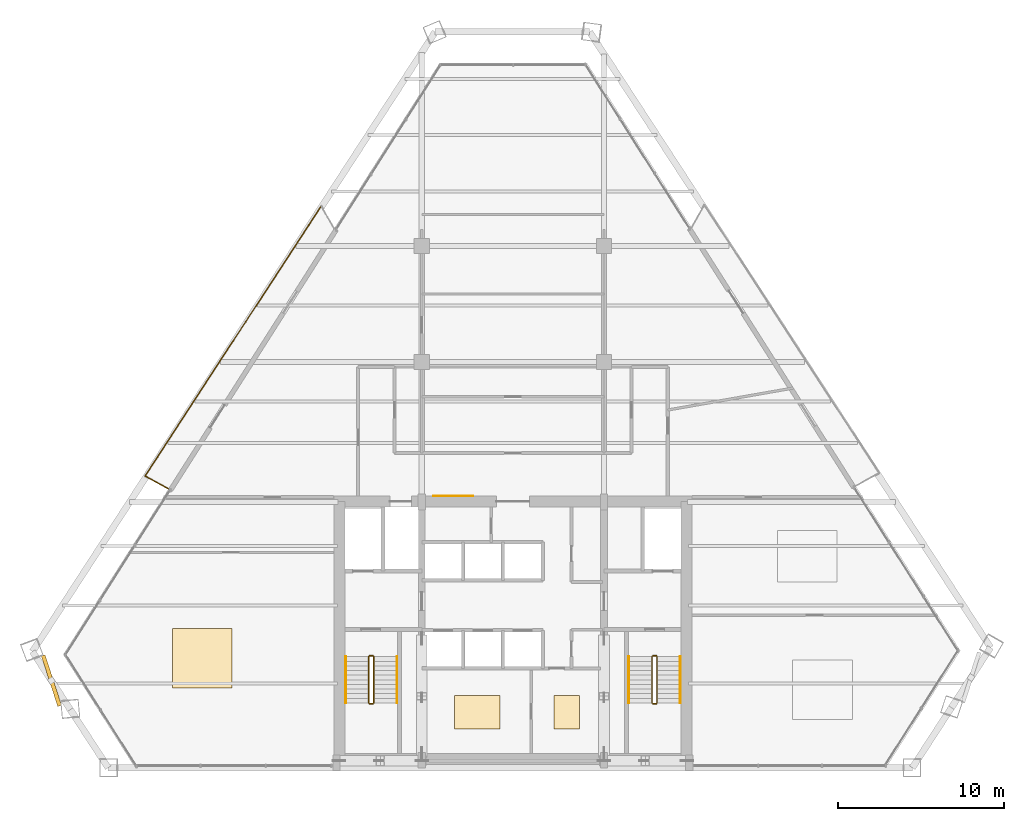
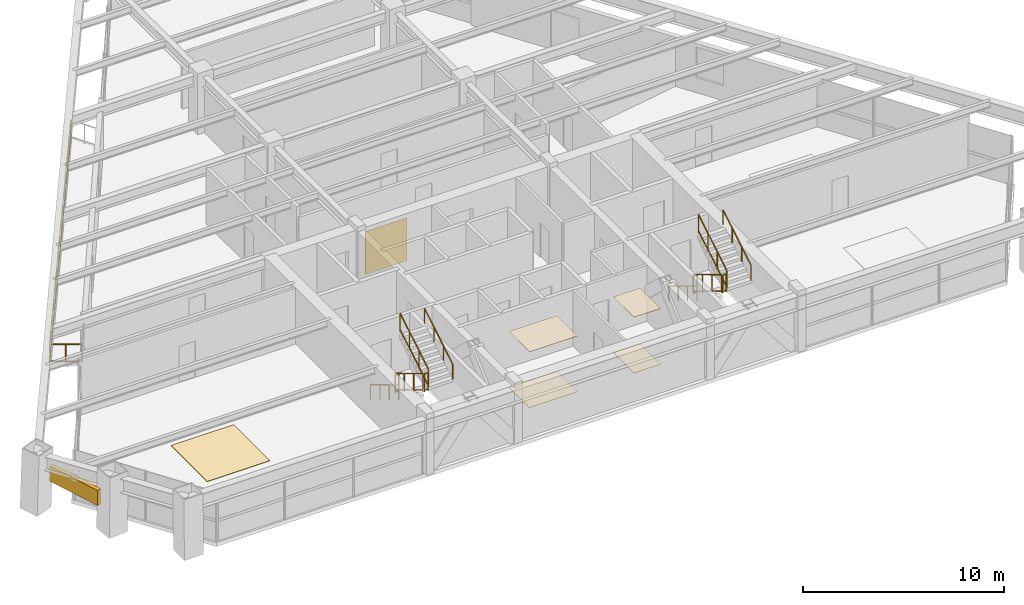
# One storey, part 14 of 15: 14 railings, 6 coverings, 1 shading device.
"""IFC4 building model written with IfcOpenShell, lengths in metres."""

from ifc_helpers import new_model, si_unit, direction, frame, origin, origin_2d, place, context, subcontext, project, spatial, rectangle, extrude, source, transform, mapped, material, layer, layer_set, type_object, type_shapes, element, save


model = new_model("IFC4")

# Units and contexts
model_context = context("Model", 3, precision=1e-05, world=origin(), true_north=direction((0.0, 1.0)))
body_context = subcontext(model_context, "Body", "Model", "MODEL_VIEW")
ifc_project = project(units=[si_unit("LENGTHUNIT", "METRE"), si_unit("AREAUNIT", "SQUARE_METRE"), si_unit("VOLUMEUNIT", "CUBIC_METRE"), si_unit("PLANEANGLEUNIT", "RADIAN"), si_unit("MASSUNIT", "GRAM", prefix="KILO")], contexts=[model_context])

# Site, building, storey
site_placement = place(None, origin())
site = spatial("IfcSite", under=ifc_project, at=site_placement, CompositionType="ELEMENT")
building_placement = place(site_placement, origin())
building = spatial("IfcBuilding", under=site, at=building_placement, Name="Varnakhor Terracotta Tower", CompositionType="ELEMENT")
storey_placement = place(building_placement, frame((0.0, 0.0, 162.60009765625)))
storey = spatial("IfcBuildingStorey", under=building, at=storey_placement, Name="L41", CompositionType="ELEMENT", Elevation=162.60009765625)

# Railings
ifc_material_1 = material(Name="Stainless Steel & Laminated Glass Guardrail", Category="steel")
railing_type_1 = type_object("IfcRailingType", Name="RLG-LOGGIA-GUARD-1150", PredefinedType="GUARDRAIL", material=ifc_material_1)
railing_1_placement = place(storey_placement, frame((-20.7900390625, 16.840087890625, 0.0)))
element("IfcRailing", 1, at=railing_1_placement, inside=storey, type_object=railing_type_1, Name="L41 W Loggia Glass Guard 1", PredefinedType="GUARDRAIL", context=body_context, shape_type="SweptSolid", body=[
    extrude(rectangle(XDim=0.048095703125, YDim=0.048095703125, at=origin_2d()), frame((0.0, 0.0, 1.1259765625), z_axis=(-0.876337144847, 0.481698254679, 0.0), x_axis=(-0.481698254679, -0.876337144847, 0.0)), (0.0, 0.0, 1.0), 1.615234375),
    extrude(rectangle(XDim=0.048095703125, YDim=0.048095703125, at=origin_2d()), frame((0.0, 0.0, 0.10009765625), z_axis=(-0.876337144847, 0.481698254679, 0.0), x_axis=(-0.481698254679, -0.876337144847, 0.0)), (0.0, 0.0, 1.0), 1.615234375),
    extrude(rectangle(XDim=0.0419921875, YDim=0.0419921875, at=origin_2d()), origin(), (0.0, 0.0, 1.0), 1.101806640625),
    extrude(rectangle(XDim=0.0419921875, YDim=0.0419921875, at=origin_2d()), frame((-0.707763671875, 0.38916015625, 0.0)), (0.0, 0.0, 1.0), 1.101806640625),
    extrude(rectangle(XDim=0.0419921875, YDim=0.0419921875, at=origin_2d()), frame((-1.41552734375, 0.778076171875, 0.0)), (0.0, 0.0, 1.0), 1.101806640625),
])
railing_2_placement = place(storey_placement, frame((-22.20556640625, 17.6181640625, 0.0)))
element("IfcRailing", 2, at=railing_2_placement, inside=storey, type_object=railing_type_1, Name="L41 W Loggia Glass Guard 2", PredefinedType="GUARDRAIL", context=body_context, shape_type="SweptSolid", body=[
    extrude(rectangle(XDim=0.048095703125, YDim=0.048095703125, at=origin_2d()), frame((0.0, 0.0, 1.1259765625), z_axis=(0.546350424216, 0.837556692982, 0.0), x_axis=(-0.837556692982, 0.546350424216, 0.0)), (0.0, 0.0, 1.0), 19.4638671875),
    extrude(rectangle(XDim=0.048095703125, YDim=0.048095703125, at=origin_2d()), frame((0.0, 0.0, 0.10009765625), z_axis=(0.546350424216, 0.837556692982, 0.0), x_axis=(-0.837556692982, 0.546350424216, 0.0)), (0.0, 0.0, 1.0), 19.4638671875),
    extrude(rectangle(XDim=0.0419921875, YDim=0.0419921875, at=origin_2d()), origin(), (0.0, 0.0, 1.0), 1.101806640625),
    extrude(rectangle(XDim=0.0419921875, YDim=0.0419921875, at=origin_2d()), frame((0.759521484375, 1.16455078125, 0.0)), (0.0, 0.0, 1.0), 1.101806640625),
    extrude(rectangle(XDim=0.0419921875, YDim=0.0419921875, at=origin_2d()), frame((1.51904296875, 2.328857421875, 0.0)), (0.0, 0.0, 1.0), 1.101806640625),
    extrude(rectangle(XDim=0.0419921875, YDim=0.0419921875, at=origin_2d()), frame((2.27880859375, 3.4931640625, 0.0)), (0.0, 0.0, 1.0), 1.101806640625),
    extrude(rectangle(XDim=0.0419921875, YDim=0.0419921875, at=origin_2d()), frame((3.038330078125, 4.65771484375, 0.0)), (0.0, 0.0, 1.0), 1.101806640625),
    extrude(rectangle(XDim=0.0419921875, YDim=0.0419921875, at=origin_2d()), frame((3.7978515625, 5.822265625, 0.0)), (0.0, 0.0, 1.0), 1.101806640625),
    extrude(rectangle(XDim=0.0419921875, YDim=0.0419921875, at=origin_2d()), frame((4.557373046875, 6.986572265625, 0.0)), (0.0, 0.0, 1.0), 1.101806640625),
    extrude(rectangle(XDim=0.0419921875, YDim=0.0419921875, at=origin_2d()), frame((5.31689453125, 8.15087890625, 0.0)), (0.0, 0.0, 1.0), 1.101806640625),
    extrude(rectangle(XDim=0.0419921875, YDim=0.0419921875, at=origin_2d()), frame((6.07666015625, 9.3154296875, 0.0)), (0.0, 0.0, 1.0), 1.101806640625),
    extrude(rectangle(XDim=0.0419921875, YDim=0.0419921875, at=origin_2d()), frame((6.836181640625, 10.47998046875, 0.0)), (0.0, 0.0, 1.0), 1.101806640625),
    extrude(rectangle(XDim=0.0419921875, YDim=0.0419921875, at=origin_2d()), frame((7.595703125, 11.644287109375, 0.0)), (0.0, 0.0, 1.0), 1.101806640625),
    extrude(rectangle(XDim=0.0419921875, YDim=0.0419921875, at=origin_2d()), frame((8.355224609375, 12.80859375, 0.0)), (0.0, 0.0, 1.0), 1.101806640625),
    extrude(rectangle(XDim=0.0419921875, YDim=0.0419921875, at=origin_2d()), frame((9.114990234375, 13.97314453125, 0.0)), (0.0, 0.0, 1.0), 1.101806640625),
    extrude(rectangle(XDim=0.0419921875, YDim=0.0419921875, at=origin_2d()), frame((9.87451171875, 15.1376953125, 0.0)), (0.0, 0.0, 1.0), 1.101806640625),
    extrude(rectangle(XDim=0.0419921875, YDim=0.0419921875, at=origin_2d()), frame((10.634033203125, 16.302001953125, 0.0)), (0.0, 0.0, 1.0), 1.101806640625),
])
ifc_material_2 = material(Name="Painted Steel Stairwell Guardrail", Category="steel")
railing_type_2 = type_object("IfcRailingType", Name="RLG-STAIR-GUARD-1120", PredefinedType="GUARDRAIL", material=ifc_material_2)
railing_3_placement = place(storey_placement, frame((-8.699951171875, 6.7099609375, 0.16796875)))
element("IfcRailing", 3, at=railing_3_placement, inside=storey, type_object=railing_type_2, Name="L41 ST-1 stair guard 1", PredefinedType="GUARDRAIL", context=body_context, shape_type="SweptSolid", body=[
    extrude(rectangle(XDim=0.048095703125, YDim=0.048095703125, at=origin_2d()), frame((0.0, 0.0, 1.09619140625), z_axis=(0.0, -0.857242210791, 0.514913383045), x_axis=(1.0, 0.0, 0.0)), (0.0, 0.0, 1.0), 3.266357421875),
    extrude(rectangle(XDim=0.048095703125, YDim=0.048095703125, at=origin_2d()), frame((0.0, 0.0, 0.10009765625), z_axis=(0.0, -0.857242210791, 0.514913383045), x_axis=(1.0, 0.0, 0.0)), (0.0, 0.0, 1.0), 3.266357421875),
    extrude(rectangle(XDim=0.0419921875, YDim=0.0419921875, at=origin_2d()), origin(), (0.0, 0.0, 1.0), 1.072021484375),
    extrude(rectangle(XDim=0.0419921875, YDim=0.0419921875, at=origin_2d()), frame((0.0, -0.933349609375, 0.560546875)), (0.0, 0.0, 1.0), 1.072021484375),
    extrude(rectangle(XDim=0.0419921875, YDim=0.0419921875, at=origin_2d()), frame((0.0, -1.86669921875, 1.121337890625)), (0.0, 0.0, 1.0), 1.072021484375),
    extrude(rectangle(XDim=0.0419921875, YDim=0.0419921875, at=origin_2d()), frame((0.0, -2.800048828125, 1.681884765625)), (0.0, 0.0, 1.0), 1.072021484375),
])
railing_4_placement = place(storey_placement, frame((-8.64990234375, 3.860107421875, 1.849853515625)))
element("IfcRailing", 4, at=railing_4_placement, inside=storey, type_object=railing_type_2, Name="L41 ST-1 stair guard 2", PredefinedType="GUARDRAIL", context=body_context, shape_type="SweptSolid", body=[
    extrude(rectangle(XDim=0.048095703125, YDim=0.048095703125, at=origin_2d()), frame((0.0, 0.0, 1.09619140625), z_axis=(1.0, 0.0, 0.0), x_axis=(0.0, 1.0, 0.0)), (0.0, 0.0, 1.0), 0.199951171875),
    extrude(rectangle(XDim=0.048095703125, YDim=0.048095703125, at=origin_2d()), frame((0.0, 0.0, 0.10009765625), z_axis=(1.0, 0.0, 0.0), x_axis=(0.0, 1.0, 0.0)), (0.0, 0.0, 1.0), 0.199951171875),
    extrude(rectangle(XDim=0.0419921875, YDim=0.0419921875, at=origin_2d()), origin(), (0.0, 0.0, 1.0), 1.072021484375),
    extrude(rectangle(XDim=0.0419921875, YDim=0.0419921875, at=origin_2d()), frame((0.199951171875, 0.0, 0.0)), (0.0, 0.0, 1.0), 1.072021484375),
])
railing_5_placement = place(storey_placement, frame((-8.39990234375, 3.909912109375, 2.01806640625)))
element("IfcRailing", 5, at=railing_5_placement, inside=storey, type_object=railing_type_2, Name="L41 ST-1 stair guard 3", PredefinedType="GUARDRAIL", context=body_context, shape_type="SweptSolid", body=[
    extrude(rectangle(XDim=0.048095703125, YDim=0.048095703125, at=origin_2d()), frame((0.0, 0.0, 1.09619140625), z_axis=(0.0, 0.857242210791, 0.514913383045), x_axis=(-1.0, 0.0, 0.0)), (0.0, 0.0, 1.0), 3.266357421875),
    extrude(rectangle(XDim=0.048095703125, YDim=0.048095703125, at=origin_2d()), frame((0.0, 0.0, 0.10009765625), z_axis=(0.0, 0.857242210791, 0.514913383045), x_axis=(-1.0, 0.0, 0.0)), (0.0, 0.0, 1.0), 3.266357421875),
    extrude(rectangle(XDim=0.0419921875, YDim=0.0419921875, at=origin_2d()), origin(), (0.0, 0.0, 1.0), 1.072021484375),
    extrude(rectangle(XDim=0.0419921875, YDim=0.0419921875, at=origin_2d()), frame((0.0, 0.933349609375, 0.560546875)), (0.0, 0.0, 1.0), 1.072021484375),
    extrude(rectangle(XDim=0.0419921875, YDim=0.0419921875, at=origin_2d()), frame((0.0, 1.86669921875, 1.121337890625)), (0.0, 0.0, 1.0), 1.072021484375),
    extrude(rectangle(XDim=0.0419921875, YDim=0.0419921875, at=origin_2d()), frame((0.0, 2.800048828125, 1.681884765625)), (0.0, 0.0, 1.0), 1.072021484375),
])
railing_6_placement = place(storey_placement, frame((-8.64990234375, 6.760009765625, 0.0)))
element("IfcRailing", 6, at=railing_6_placement, inside=storey, type_object=railing_type_2, Name="L41 ST-1 stair guard 4", PredefinedType="GUARDRAIL", context=body_context, shape_type="SweptSolid", body=[
    extrude(rectangle(XDim=0.048095703125, YDim=0.048095703125, at=origin_2d()), frame((0.0, 0.0, 1.09619140625), z_axis=(1.0, 0.0, 0.0), x_axis=(0.0, 1.0, 0.0)), (0.0, 0.0, 1.0), 0.199951171875),
    extrude(rectangle(XDim=0.048095703125, YDim=0.048095703125, at=origin_2d()), frame((0.0, 0.0, 0.10009765625), z_axis=(1.0, 0.0, 0.0), x_axis=(0.0, 1.0, 0.0)), (0.0, 0.0, 1.0), 0.199951171875),
    extrude(rectangle(XDim=0.0419921875, YDim=0.0419921875, at=origin_2d()), origin(), (0.0, 0.0, 1.0), 1.072021484375),
    extrude(rectangle(XDim=0.0419921875, YDim=0.0419921875, at=origin_2d()), frame((0.199951171875, 0.0, 0.0)), (0.0, 0.0, 1.0), 1.072021484375),
])
railing_7_placement = place(storey_placement, frame((8.39990234375, 6.7099609375, 0.16796875)))
element("IfcRailing", 7, at=railing_7_placement, inside=storey, type_object=railing_type_2, Name="L41 ST-2 stair guard 1", PredefinedType="GUARDRAIL", context=body_context, shape_type="SweptSolid", body=[
    extrude(rectangle(XDim=0.048095703125, YDim=0.048095703125, at=origin_2d()), frame((0.0, 0.0, 1.09619140625), z_axis=(0.0, -0.857242210791, 0.514913383045), x_axis=(1.0, 0.0, 0.0)), (0.0, 0.0, 1.0), 3.266357421875),
    extrude(rectangle(XDim=0.048095703125, YDim=0.048095703125, at=origin_2d()), frame((0.0, 0.0, 0.10009765625), z_axis=(0.0, -0.857242210791, 0.514913383045), x_axis=(1.0, 0.0, 0.0)), (0.0, 0.0, 1.0), 3.266357421875),
    extrude(rectangle(XDim=0.0419921875, YDim=0.0419921875, at=origin_2d()), origin(), (0.0, 0.0, 1.0), 1.072021484375),
    extrude(rectangle(XDim=0.0419921875, YDim=0.0419921875, at=origin_2d()), frame((0.0, -0.933349609375, 0.560546875)), (0.0, 0.0, 1.0), 1.072021484375),
    extrude(rectangle(XDim=0.0419921875, YDim=0.0419921875, at=origin_2d()), frame((0.0, -1.86669921875, 1.121337890625)), (0.0, 0.0, 1.0), 1.072021484375),
    extrude(rectangle(XDim=0.0419921875, YDim=0.0419921875, at=origin_2d()), frame((0.0, -2.800048828125, 1.681884765625)), (0.0, 0.0, 1.0), 1.072021484375),
])
railing_8_placement = place(storey_placement, frame((8.449951171875, 3.860107421875, 1.849853515625)))
element("IfcRailing", 8, at=railing_8_placement, inside=storey, type_object=railing_type_2, Name="L41 ST-2 stair guard 2", PredefinedType="GUARDRAIL", context=body_context, shape_type="SweptSolid", body=[
    extrude(rectangle(XDim=0.048095703125, YDim=0.048095703125, at=origin_2d()), frame((0.0, 0.0, 1.09619140625), z_axis=(1.0, 0.0, 0.0), x_axis=(0.0, 1.0, 0.0)), (0.0, 0.0, 1.0), 0.199951171875),
    extrude(rectangle(XDim=0.048095703125, YDim=0.048095703125, at=origin_2d()), frame((0.0, 0.0, 0.10009765625), z_axis=(1.0, 0.0, 0.0), x_axis=(0.0, 1.0, 0.0)), (0.0, 0.0, 1.0), 0.199951171875),
    extrude(rectangle(XDim=0.0419921875, YDim=0.0419921875, at=origin_2d()), origin(), (0.0, 0.0, 1.0), 1.072021484375),
    extrude(rectangle(XDim=0.0419921875, YDim=0.0419921875, at=origin_2d()), frame((0.199951171875, 0.0, 0.0)), (0.0, 0.0, 1.0), 1.072021484375),
])
railing_9_placement = place(storey_placement, frame((8.699951171875, 3.909912109375, 2.01806640625)))
element("IfcRailing", 9, at=railing_9_placement, inside=storey, type_object=railing_type_2, Name="L41 ST-2 stair guard 3", PredefinedType="GUARDRAIL", context=body_context, shape_type="SweptSolid", body=[
    extrude(rectangle(XDim=0.048095703125, YDim=0.048095703125, at=origin_2d()), frame((0.0, 0.0, 1.09619140625), z_axis=(0.0, 0.857242210791, 0.514913383045), x_axis=(-1.0, 0.0, 0.0)), (0.0, 0.0, 1.0), 3.266357421875),
    extrude(rectangle(XDim=0.048095703125, YDim=0.048095703125, at=origin_2d()), frame((0.0, 0.0, 0.10009765625), z_axis=(0.0, 0.857242210791, 0.514913383045), x_axis=(-1.0, 0.0, 0.0)), (0.0, 0.0, 1.0), 3.266357421875),
    extrude(rectangle(XDim=0.0419921875, YDim=0.0419921875, at=origin_2d()), origin(), (0.0, 0.0, 1.0), 1.072021484375),
    extrude(rectangle(XDim=0.0419921875, YDim=0.0419921875, at=origin_2d()), frame((0.0, 0.933349609375, 0.560546875)), (0.0, 0.0, 1.0), 1.072021484375),
    extrude(rectangle(XDim=0.0419921875, YDim=0.0419921875, at=origin_2d()), frame((0.0, 1.86669921875, 1.121337890625)), (0.0, 0.0, 1.0), 1.072021484375),
    extrude(rectangle(XDim=0.0419921875, YDim=0.0419921875, at=origin_2d()), frame((0.0, 2.800048828125, 1.681884765625)), (0.0, 0.0, 1.0), 1.072021484375),
])
railing_10_placement = place(storey_placement, frame((8.449951171875, 6.760009765625, 0.0)))
element("IfcRailing", 10, at=railing_10_placement, inside=storey, type_object=railing_type_2, Name="L41 ST-2 stair guard 4", PredefinedType="GUARDRAIL", context=body_context, shape_type="SweptSolid", body=[
    extrude(rectangle(XDim=0.048095703125, YDim=0.048095703125, at=origin_2d()), frame((0.0, 0.0, 1.09619140625), z_axis=(1.0, 0.0, 0.0), x_axis=(0.0, 1.0, 0.0)), (0.0, 0.0, 1.0), 0.199951171875),
    extrude(rectangle(XDim=0.048095703125, YDim=0.048095703125, at=origin_2d()), frame((0.0, 0.0, 0.10009765625), z_axis=(1.0, 0.0, 0.0), x_axis=(0.0, 1.0, 0.0)), (0.0, 0.0, 1.0), 0.199951171875),
    extrude(rectangle(XDim=0.0419921875, YDim=0.0419921875, at=origin_2d()), origin(), (0.0, 0.0, 1.0), 1.072021484375),
    extrude(rectangle(XDim=0.0419921875, YDim=0.0419921875, at=origin_2d()), frame((0.199951171875, 0.0, 0.0)), (0.0, 0.0, 1.0), 1.072021484375),
])
ifc_material_3 = material(Name="Brushed Stainless Steel Handrail", Category="steel")
railing_type_3 = type_object("IfcRailingType", Name="RLG-STAIR-HANDRAIL-920", PredefinedType="HANDRAIL", material=ifc_material_3)
railing_11_placement = place(storey_placement, frame((-10.10009765625, 6.7099609375, 0.16796875)))
element("IfcRailing", 11, at=railing_11_placement, inside=storey, type_object=railing_type_3, Name="L41 ST-1 stair handrail 1", PredefinedType="HANDRAIL", context=body_context, shape_type="SweptSolid", body=[
    extrude(rectangle(XDim=0.048095703125, YDim=0.048095703125, at=origin_2d()), frame((0.0, 0.0, 0.89599609375), z_axis=(0.0, -0.857242210791, 0.514913383045), x_axis=(1.0, 0.0, 0.0)), (0.0, 0.0, 1.0), 3.266357421875),
    extrude(rectangle(XDim=0.0419921875, YDim=0.0419921875, at=origin_2d()), origin(), (0.0, 0.0, 1.0), 0.871826171875),
    extrude(rectangle(XDim=0.0419921875, YDim=0.0419921875, at=origin_2d()), frame((0.0, -0.933349609375, 0.560546875)), (0.0, 0.0, 1.0), 0.871826171875),
    extrude(rectangle(XDim=0.0419921875, YDim=0.0419921875, at=origin_2d()), frame((0.0, -1.86669921875, 1.121337890625)), (0.0, 0.0, 1.0), 0.871826171875),
    extrude(rectangle(XDim=0.0419921875, YDim=0.0419921875, at=origin_2d()), frame((0.0, -2.800048828125, 1.681884765625)), (0.0, 0.0, 1.0), 0.871826171875),
])
railing_12_placement = place(storey_placement, frame((-7.0, 3.909912109375, 2.01806640625)))
element("IfcRailing", 12, at=railing_12_placement, inside=storey, type_object=railing_type_3, Name="L41 ST-1 stair handrail 2", PredefinedType="HANDRAIL", context=body_context, shape_type="SweptSolid", body=[
    extrude(rectangle(XDim=0.048095703125, YDim=0.048095703125, at=origin_2d()), frame((0.0, 0.0, 0.89599609375), z_axis=(0.0, 0.857242210791, 0.514913383045), x_axis=(-1.0, 0.0, 0.0)), (0.0, 0.0, 1.0), 3.266357421875),
    extrude(rectangle(XDim=0.0419921875, YDim=0.0419921875, at=origin_2d()), origin(), (0.0, 0.0, 1.0), 0.871826171875),
    extrude(rectangle(XDim=0.0419921875, YDim=0.0419921875, at=origin_2d()), frame((0.0, 0.933349609375, 0.560546875)), (0.0, 0.0, 1.0), 0.871826171875),
    extrude(rectangle(XDim=0.0419921875, YDim=0.0419921875, at=origin_2d()), frame((0.0, 1.86669921875, 1.121337890625)), (0.0, 0.0, 1.0), 0.871826171875),
    extrude(rectangle(XDim=0.0419921875, YDim=0.0419921875, at=origin_2d()), frame((0.0, 2.800048828125, 1.681884765625)), (0.0, 0.0, 1.0), 0.871826171875),
])
railing_13_placement = place(storey_placement, frame((7.0, 6.7099609375, 0.16796875)))
element("IfcRailing", 13, at=railing_13_placement, inside=storey, type_object=railing_type_3, Name="L41 ST-2 stair handrail 1", PredefinedType="HANDRAIL", context=body_context, shape_type="SweptSolid", body=[
    extrude(rectangle(XDim=0.048095703125, YDim=0.048095703125, at=origin_2d()), frame((0.0, 0.0, 0.89599609375), z_axis=(0.0, -0.857242210791, 0.514913383045), x_axis=(1.0, 0.0, 0.0)), (0.0, 0.0, 1.0), 3.266357421875),
    extrude(rectangle(XDim=0.0419921875, YDim=0.0419921875, at=origin_2d()), origin(), (0.0, 0.0, 1.0), 0.871826171875),
    extrude(rectangle(XDim=0.0419921875, YDim=0.0419921875, at=origin_2d()), frame((0.0, -0.933349609375, 0.560546875)), (0.0, 0.0, 1.0), 0.871826171875),
    extrude(rectangle(XDim=0.0419921875, YDim=0.0419921875, at=origin_2d()), frame((0.0, -1.86669921875, 1.121337890625)), (0.0, 0.0, 1.0), 0.871826171875),
    extrude(rectangle(XDim=0.0419921875, YDim=0.0419921875, at=origin_2d()), frame((0.0, -2.800048828125, 1.681884765625)), (0.0, 0.0, 1.0), 0.871826171875),
])
railing_14_placement = place(storey_placement, frame((10.10009765625, 3.909912109375, 2.01806640625)))
element("IfcRailing", 14, at=railing_14_placement, inside=storey, type_object=railing_type_3, Name="L41 ST-2 stair handrail 2", PredefinedType="HANDRAIL", context=body_context, shape_type="SweptSolid", body=[
    extrude(rectangle(XDim=0.048095703125, YDim=0.048095703125, at=origin_2d()), frame((0.0, 0.0, 0.89599609375), z_axis=(0.0, 0.857242210791, 0.514913383045), x_axis=(-1.0, 0.0, 0.0)), (0.0, 0.0, 1.0), 3.266357421875),
    extrude(rectangle(XDim=0.0419921875, YDim=0.0419921875, at=origin_2d()), origin(), (0.0, 0.0, 1.0), 0.871826171875),
    extrude(rectangle(XDim=0.0419921875, YDim=0.0419921875, at=origin_2d()), frame((0.0, 0.933349609375, 0.560546875)), (0.0, 0.0, 1.0), 0.871826171875),
    extrude(rectangle(XDim=0.0419921875, YDim=0.0419921875, at=origin_2d()), frame((0.0, 1.86669921875, 1.121337890625)), (0.0, 0.0, 1.0), 0.871826171875),
    extrude(rectangle(XDim=0.0419921875, YDim=0.0419921875, at=origin_2d()), frame((0.0, 2.800048828125, 1.681884765625)), (0.0, 0.0, 1.0), 0.871826171875),
])

# Shading device
ifc_material_4 = material(Name="Extruded Architectural Terracotta Screen", Category="masonry")
shading_device_type = type_object("IfcShadingDeviceType", Name="TERRACOTTA SOLAR SCREEN W", PredefinedType="USERDEFINED", material=ifc_material_4)
shared_shape_1 = source(origin(), body_context, "Body", "SweptSolid", [
    extrude(rectangle(XDim=3.199951171875, YDim=0.239990234375, at=origin_2d()), origin(), (0.0, 0.0, 1.0), 0.919921875),
])
type_shapes(shading_device_type, [shared_shape_1])
shading_device_placement = place(storey_placement, frame((-27.864501953125, 5.26220703125, 1.639892578125), z_axis=(0.0, 0.0, 1.0), x_axis=(0.310278251288, -0.950645784074, 0.0)))
element("IfcShadingDevice", 15, at=shading_device_placement, inside=storey, type_object=shading_device_type, Name="L41 W Terracotta Solar Screen", ObjectType="SCREEN", PredefinedType="USERDEFINED", context=body_context, shape_type="MappedRepresentation", body=[
    mapped(shared_shape_1, transform((0.0, 0.0, 0.0), scale=1.0)),
])

# Coverings
ifc_material_5 = material(Name="Extruded Architectural Terracotta Cladding", Category="masonry")
ifc_layer_1 = layer(ifc_material_5, 0.044921875, Name="Extruded Architectural Terracotta Cladding")
ifc_layer_set_1 = layer_set([ifc_layer_1], Name="Extruded Architectural Terracotta Cladding")
covering_type_1 = type_object("IfcCoveringType", Name="COV-CLAD-TERRACOTTA", PredefinedType="CLADDING", material=ifc_layer_set_1)
shared_shape_2 = source(origin(), body_context, "Body", "SweptSolid", [
    extrude(rectangle(XDim=2.39990234375, YDim=0.030029296875, at=origin_2d()), origin(), (0.0, 0.0, 1.0), 2.60009765625),
])
type_shapes(covering_type_1, [shared_shape_2])
covering_1_placement = place(storey_placement, frame((-3.60009765625, 16.412109375, -0.000244140625), z_axis=(0.0, 0.0, 1.0), x_axis=(1.0, 0.0, 0.0)))
element("IfcCovering", 16, at=covering_1_placement, inside=storey, type_object=covering_type_1, Name="L41 Core Lobby Limestone Cladding", PredefinedType="CLADDING", context=body_context, shape_type="MappedRepresentation", body=[
    mapped(shared_shape_2, transform((0.0, 0.0, 0.0), scale=1.0)),
])
ifc_material_6 = material(Name="Honed Riyadh Limestone Flooring", Category="masonry")
ifc_layer_2 = layer(ifc_material_6, 0.030029296875, Name="Honed Riyadh Limestone Flooring")
ifc_layer_set_2 = layer_set([ifc_layer_2], Name="Honed Riyadh Limestone Flooring")
covering_type_2 = type_object("IfcCoveringType", Name="COV-FLOOR-LIMESTONE", PredefinedType="FLOORING", material=ifc_layer_set_2)
shared_shape_3 = source(origin(), body_context, "Body", "SweptSolid", [
    extrude(rectangle(XDim=3.60009765625, YDim=3.60009765625, at=origin_2d()), origin(), (0.0, 0.0, 1.0), 0.02001953125),
])
covering_2_placement = place(storey_placement, frame((-18.760986328125, 6.60205078125, 0.0), z_axis=(0.0, 0.0, 1.0), x_axis=(1.0, 0.0, 0.0)))
element("IfcCovering", 17, at=covering_2_placement, inside=storey, type_object=covering_type_2, Name="L41 Honed Stone Flooring 4", PredefinedType="FLOORING", context=body_context, shape_type="MappedRepresentation", body=[
    mapped(shared_shape_3, transform((0.0, 0.0, 0.0), scale=1.0)),
])
shared_shape_4 = source(origin(), body_context, "Body", "SweptSolid", [
    extrude(rectangle(XDim=2.75, YDim=2.041015625, at=origin_2d()), origin(), (0.0, 0.0, 1.0), 0.02001953125),
])
covering_3_placement = place(storey_placement, frame((-2.139892578125, 3.35498046875, 0.0), z_axis=(0.0, 0.0, 1.0), x_axis=(1.0, 0.0, 0.0)))
element("IfcCovering", 18, at=covering_3_placement, inside=storey, type_object=covering_type_2, Name="L41 Honed Stone Flooring 1", PredefinedType="FLOORING", context=body_context, shape_type="MappedRepresentation", body=[
    mapped(shared_shape_4, transform((0.0, 0.0, 0.0), scale=1.0)),
])
ifc_material_7 = material(Name="Perforated Acoustic Mineral-Fibre Ceiling", Category="gypsum")
ifc_layer_3 = layer(ifc_material_7, 0.02490234375, Name="Perforated Acoustic Mineral-Fibre Ceiling")
ifc_layer_set_3 = layer_set([ifc_layer_3], Name="Perforated Acoustic Mineral-Fibre Ceiling")
covering_type_3 = type_object("IfcCoveringType", Name="COV-CEILING-ACOUSTIC", PredefinedType="CEILING", material=ifc_layer_set_3)
shared_shape_5 = source(origin(), body_context, "Body", "SweptSolid", [
    extrude(rectangle(XDim=2.75, YDim=2.041015625, at=origin_2d()), origin(), (0.0, 0.0, 1.0), 0.02392578125),
])
covering_4_placement = place(storey_placement, frame((-2.139892578125, 3.35498046875, 3.3759765625), z_axis=(0.0, 0.0, 1.0), x_axis=(1.0, 0.0, 0.0)))
element("IfcCovering", 19, at=covering_4_placement, inside=storey, type_object=covering_type_3, Name="L41 Acoustic Ceiling Panel 1", PredefinedType="CEILING", context=body_context, shape_type="MappedRepresentation", body=[
    mapped(shared_shape_5, transform((0.0, 0.0, 0.0), scale=1.0)),
])
shared_shape_6 = source(origin(), body_context, "Body", "SweptSolid", [
    extrude(rectangle(XDim=1.5400390625, YDim=2.041015625, at=origin_2d()), origin(), (0.0, 0.0, 1.0), 0.02001953125),
])
covering_5_placement = place(storey_placement, frame((3.239990234375, 3.35498046875, 0.0), z_axis=(0.0, 0.0, 1.0), x_axis=(1.0, 0.0, 0.0)))
element("IfcCovering", 20, at=covering_5_placement, inside=storey, type_object=covering_type_2, Name="L41 Honed Stone Flooring 2", PredefinedType="FLOORING", context=body_context, shape_type="MappedRepresentation", body=[
    mapped(shared_shape_6, transform((0.0, 0.0, 0.0), scale=1.0)),
])
shared_shape_7 = source(origin(), body_context, "Body", "SweptSolid", [
    extrude(rectangle(XDim=1.5400390625, YDim=2.041015625, at=origin_2d()), origin(), (0.0, 0.0, 1.0), 0.02392578125),
])
covering_6_placement = place(storey_placement, frame((3.239990234375, 3.35498046875, 3.3759765625), z_axis=(0.0, 0.0, 1.0), x_axis=(1.0, 0.0, 0.0)))
element("IfcCovering", 21, at=covering_6_placement, inside=storey, type_object=covering_type_3, Name="L41 Acoustic Ceiling Panel 2", PredefinedType="CEILING", context=body_context, shape_type="MappedRepresentation", body=[
    mapped(shared_shape_7, transform((0.0, 0.0, 0.0), scale=1.0)),
])

save(model, "model.ifc")
